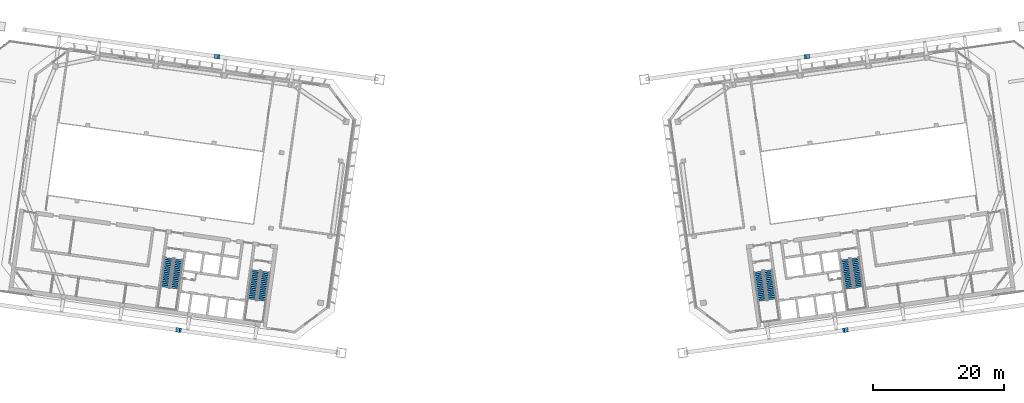
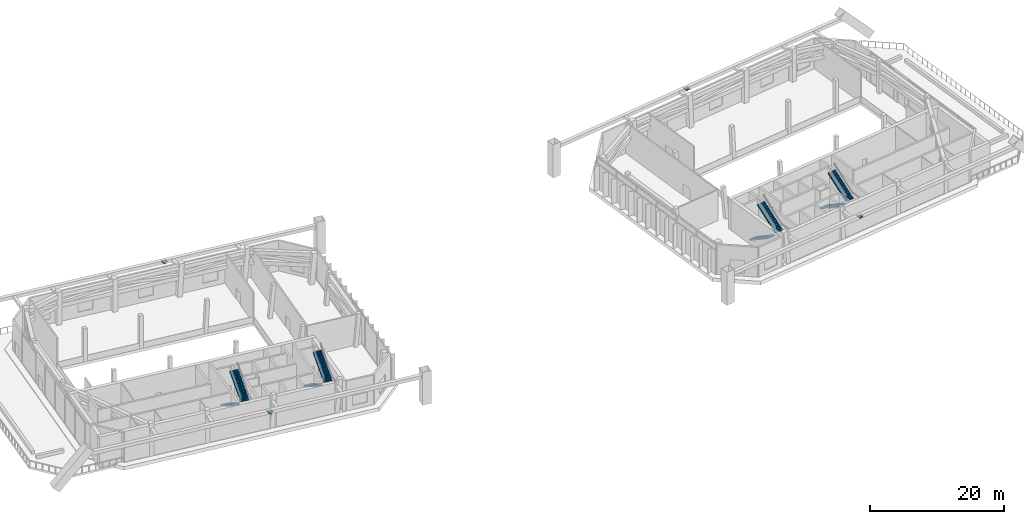
# One storey, part 19 of 29: 8 discrete accessories, 8 stair flights, 4 elements without a shape of their own.
"""IFC4 building model written with IfcOpenShell, lengths in metres."""

from ifc_helpers import new_model, si_unit, direction, frame, origin, origin_2d, place, context, subcontext, project, spatial, polyline, rectangle, outline, extrude, material, material_profile, profile_set, type_object, element, aggregate, save


model = new_model("IFC4")

# Units and contexts
model_context = context("Model", 3, precision=1e-05, world=origin(), true_north=direction((0.0, 1.0)))
body_context = subcontext(model_context, "Body", "Model", "MODEL_VIEW")
ifc_project = project(units=[si_unit("LENGTHUNIT", "METRE"), si_unit("AREAUNIT", "SQUARE_METRE"), si_unit("VOLUMEUNIT", "CUBIC_METRE"), si_unit("PLANEANGLEUNIT", "RADIAN"), si_unit("MASSUNIT", "GRAM", prefix="KILO")], contexts=[model_context])

# Site, building, storey
site_placement = place(None, origin())
site = spatial("IfcSite", under=ifc_project, at=site_placement, CompositionType="ELEMENT")
building_placement = place(site_placement, origin())
building = spatial("IfcBuilding", under=site, at=building_placement, Name="Mirante Cascada Hotel Towers", CompositionType="ELEMENT")
storey_placement = place(building_placement, frame((0.0, 0.0, 210.6)))
storey = spatial("IfcBuildingStorey", under=building, at=storey_placement, Name="L50", CompositionType="ELEMENT", Elevation=210.6)

# Stair, stair flights
ifc_material_1 = material(Name="Concrete C35/45", Category="concrete")
stair_type = type_object("IfcStairType", Name="Exit stair half-turn 1350 concrete C35/45", PredefinedType="HALF_TURN_STAIR", material=ifc_material_1)
stair_1_placement = place(storey_placement, origin())
stair_1 = element("IfcStair", 1, at=stair_1_placement, inside=storey, type_object=stair_type, Name="L50 Exit stair A", PredefinedType="HALF_TURN_STAIR")
ifc_material_2 = material(Name="Concrete C35/45", Category="concrete")
stair_flight_type = type_object("IfcStairFlightType", Name="Exit stair flight 1350 concrete C35/45", PredefinedType="STRAIGHT", material=ifc_material_2)
stair_flight_1_placement = place(storey_placement, frame((-38.9417, -11.195, 0.0), z_axis=(0.0, 0.0, 1.0), x_axis=(-0.1391731, -0.9902681, 0.0)))
stair_flight_1 = element("IfcStairFlight", 2, at=stair_flight_1_placement, type_object=stair_flight_type, Name="ST1-A flight 1", NumberOfRisers=17, NumberOfTreads=16, PredefinedType="STRAIGHT", RiserHeight=0.176470588, TreadLength=0.28, context=body_context, shape_type="SweptSolid", body=[
    extrude(outline(polyline([(0.0, 0.0), (0.0, 0.1765), (0.28, 0.1765), (0.28, 0.3529), (0.56, 0.3529), (0.56, 0.5294), (0.84, 0.5294), (0.84, 0.7059), (1.12, 0.7059), (1.12, 0.8824), (1.4, 0.8824), (1.4, 1.0588), (1.68, 1.0588), (1.68, 1.2353), (1.96, 1.2353), (1.96, 1.4118), (2.24, 1.4118), (2.24, 1.5882), (2.52, 1.5882), (2.52, 1.7647), (2.8, 1.7647), (2.8, 1.9412), (3.08, 1.9412), (3.08, 2.1176), (3.36, 2.1176), (3.36, 2.2941), (3.64, 2.2941), (3.64, 2.4706), (3.92, 2.4706), (3.92, 2.6471), (4.2, 2.6471), (4.2, 2.8235), (4.48, 2.8235), (4.48, 3.0), (4.48, 2.6462), (0.2813, 0.0), (0.0, 0.0)])), frame((0.0, 0.675, 0.0), z_axis=(0.0, -1.0, 0.0), x_axis=(1.0, 0.0, 0.0)), (0.0, 0.0, 1.0), 1.35),
])
stair_flight_2_placement = place(storey_placement, frame((-38.0798, -15.8402, 3.0), z_axis=(0.0, 0.0, 1.0), x_axis=(0.1391731, 0.9902681, 0.0)))
stair_flight_2 = element("IfcStairFlight", 3, at=stair_flight_2_placement, type_object=stair_flight_type, Name="ST1-A flight 2", NumberOfRisers=17, NumberOfTreads=16, PredefinedType="STRAIGHT", RiserHeight=0.176470588, TreadLength=0.28, context=body_context, shape_type="SweptSolid", body=[
    extrude(outline(polyline([(0.0, 0.0), (0.0, 0.1765), (0.28, 0.1765), (0.28, 0.3529), (0.56, 0.3529), (0.56, 0.5294), (0.84, 0.5294), (0.84, 0.7059), (1.12, 0.7059), (1.12, 0.8824), (1.4, 0.8824), (1.4, 1.0588), (1.68, 1.0588), (1.68, 1.2353), (1.96, 1.2353), (1.96, 1.4118), (2.24, 1.4118), (2.24, 1.5882), (2.52, 1.5882), (2.52, 1.7647), (2.8, 1.7647), (2.8, 1.9412), (3.08, 1.9412), (3.08, 2.1176), (3.36, 2.1176), (3.36, 2.2941), (3.64, 2.2941), (3.64, 2.4706), (3.92, 2.4706), (3.92, 2.6471), (4.2, 2.6471), (4.2, 2.8235), (4.48, 2.8235), (4.48, 3.0), (4.48, 2.6462), (0.2813, 0.0), (0.0, 0.0)])), frame((0.0, 0.675, 0.0), z_axis=(0.0, -1.0, 0.0), x_axis=(1.0, 0.0, 0.0)), (0.0, 0.0, 1.0), 1.35),
])
aggregate(stair_1, [stair_flight_1, stair_flight_2])

stair_2_placement = place(storey_placement, origin())
stair_2 = element("IfcStair", 4, at=stair_2_placement, inside=storey, type_object=stair_type, Name="L50 Exit stair B", PredefinedType="HALF_TURN_STAIR")
stair_flight_3_placement = place(storey_placement, frame((-52.1618, -9.3371, 0.0), z_axis=(0.0, 0.0, 1.0), x_axis=(-0.1391731, -0.9902681, 0.0)))
stair_flight_3 = element("IfcStairFlight", 5, at=stair_flight_3_placement, type_object=stair_flight_type, Name="ST1-B flight 1", NumberOfRisers=17, NumberOfTreads=16, PredefinedType="STRAIGHT", RiserHeight=0.176470588, TreadLength=0.28, context=body_context, shape_type="SweptSolid", body=[
    extrude(outline(polyline([(0.0, 0.0), (0.0, 0.1765), (0.28, 0.1765), (0.28, 0.3529), (0.56, 0.3529), (0.56, 0.5294), (0.84, 0.5294), (0.84, 0.7059), (1.12, 0.7059), (1.12, 0.8824), (1.4, 0.8824), (1.4, 1.0588), (1.68, 1.0588), (1.68, 1.2353), (1.96, 1.2353), (1.96, 1.4118), (2.24, 1.4118), (2.24, 1.5882), (2.52, 1.5882), (2.52, 1.7647), (2.8, 1.7647), (2.8, 1.9412), (3.08, 1.9412), (3.08, 2.1176), (3.36, 2.1176), (3.36, 2.2941), (3.64, 2.2941), (3.64, 2.4706), (3.92, 2.4706), (3.92, 2.6471), (4.2, 2.6471), (4.2, 2.8235), (4.48, 2.8235), (4.48, 3.0), (4.48, 2.6462), (0.2813, 0.0), (0.0, 0.0)])), frame((0.0, 0.675, 0.0), z_axis=(0.0, -1.0, 0.0), x_axis=(1.0, 0.0, 0.0)), (0.0, 0.0, 1.0), 1.35),
])
stair_flight_4_placement = place(storey_placement, frame((-51.2999, -13.9822, 3.0), z_axis=(0.0, 0.0, 1.0), x_axis=(0.1391731, 0.9902681, 0.0)))
stair_flight_4 = element("IfcStairFlight", 6, at=stair_flight_4_placement, type_object=stair_flight_type, Name="ST1-B flight 2", NumberOfRisers=17, NumberOfTreads=16, PredefinedType="STRAIGHT", RiserHeight=0.176470588, TreadLength=0.28, context=body_context, shape_type="SweptSolid", body=[
    extrude(outline(polyline([(0.0, 0.0), (0.0, 0.1765), (0.28, 0.1765), (0.28, 0.3529), (0.56, 0.3529), (0.56, 0.5294), (0.84, 0.5294), (0.84, 0.7059), (1.12, 0.7059), (1.12, 0.8824), (1.4, 0.8824), (1.4, 1.0588), (1.68, 1.0588), (1.68, 1.2353), (1.96, 1.2353), (1.96, 1.4118), (2.24, 1.4118), (2.24, 1.5882), (2.52, 1.5882), (2.52, 1.7647), (2.8, 1.7647), (2.8, 1.9412), (3.08, 1.9412), (3.08, 2.1176), (3.36, 2.1176), (3.36, 2.2941), (3.64, 2.2941), (3.64, 2.4706), (3.92, 2.4706), (3.92, 2.6471), (4.2, 2.6471), (4.2, 2.8235), (4.48, 2.8235), (4.48, 3.0), (4.48, 2.6462), (0.2813, 0.0), (0.0, 0.0)])), frame((0.0, 0.675, 0.0), z_axis=(0.0, -1.0, 0.0), x_axis=(1.0, 0.0, 0.0)), (0.0, 0.0, 1.0), 1.35),
])
aggregate(stair_2, [stair_flight_3, stair_flight_4])

stair_3_placement = place(storey_placement, origin())
stair_3 = element("IfcStair", 7, at=stair_3_placement, inside=storey, type_object=stair_type, Name="L50 Exit stair A", PredefinedType="HALF_TURN_STAIR")
stair_flight_5_placement = place(storey_placement, frame((37.4563, -11.4038, 0.0), z_axis=(0.0, 0.0, 1.0), x_axis=(0.1391731, -0.9902681, 0.0)))
stair_flight_5 = element("IfcStairFlight", 8, at=stair_flight_5_placement, type_object=stair_flight_type, Name="ST2-A flight 1", NumberOfRisers=17, NumberOfTreads=16, PredefinedType="STRAIGHT", RiserHeight=0.176470588, TreadLength=0.28, context=body_context, shape_type="SweptSolid", body=[
    extrude(outline(polyline([(0.0, 0.0), (0.0, 0.1765), (0.28, 0.1765), (0.28, 0.3529), (0.56, 0.3529), (0.56, 0.5294), (0.84, 0.5294), (0.84, 0.7059), (1.12, 0.7059), (1.12, 0.8824), (1.4, 0.8824), (1.4, 1.0588), (1.68, 1.0588), (1.68, 1.2353), (1.96, 1.2353), (1.96, 1.4118), (2.24, 1.4118), (2.24, 1.5882), (2.52, 1.5882), (2.52, 1.7647), (2.8, 1.7647), (2.8, 1.9412), (3.08, 1.9412), (3.08, 2.1176), (3.36, 2.1176), (3.36, 2.2941), (3.64, 2.2941), (3.64, 2.4706), (3.92, 2.4706), (3.92, 2.6471), (4.2, 2.6471), (4.2, 2.8235), (4.48, 2.8235), (4.48, 3.0), (4.48, 2.6462), (0.2813, 0.0), (0.0, 0.0)])), frame((0.0, 0.675, 0.0), z_axis=(0.0, -1.0, 0.0), x_axis=(1.0, 0.0, 0.0)), (0.0, 0.0, 1.0), 1.35),
])
stair_flight_6_placement = place(storey_placement, frame((39.5652, -15.6314, 3.0), z_axis=(0.0, 0.0, 1.0), x_axis=(-0.1391731, 0.9902681, 0.0)))
stair_flight_6 = element("IfcStairFlight", 9, at=stair_flight_6_placement, type_object=stair_flight_type, Name="ST2-A flight 2", NumberOfRisers=17, NumberOfTreads=16, PredefinedType="STRAIGHT", RiserHeight=0.176470588, TreadLength=0.28, context=body_context, shape_type="SweptSolid", body=[
    extrude(outline(polyline([(0.0, 0.0), (0.0, 0.1765), (0.28, 0.1765), (0.28, 0.3529), (0.56, 0.3529), (0.56, 0.5294), (0.84, 0.5294), (0.84, 0.7059), (1.12, 0.7059), (1.12, 0.8824), (1.4, 0.8824), (1.4, 1.0588), (1.68, 1.0588), (1.68, 1.2353), (1.96, 1.2353), (1.96, 1.4118), (2.24, 1.4118), (2.24, 1.5882), (2.52, 1.5882), (2.52, 1.7647), (2.8, 1.7647), (2.8, 1.9412), (3.08, 1.9412), (3.08, 2.1176), (3.36, 2.1176), (3.36, 2.2941), (3.64, 2.2941), (3.64, 2.4706), (3.92, 2.4706), (3.92, 2.6471), (4.2, 2.6471), (4.2, 2.8235), (4.48, 2.8235), (4.48, 3.0), (4.48, 2.6462), (0.2813, 0.0), (0.0, 0.0)])), frame((0.0, 0.675, 0.0), z_axis=(0.0, -1.0, 0.0), x_axis=(1.0, 0.0, 0.0)), (0.0, 0.0, 1.0), 1.35),
])
aggregate(stair_3, [stair_flight_5, stair_flight_6])

stair_4_placement = place(storey_placement, origin())
stair_4 = element("IfcStair", 10, at=stair_4_placement, inside=storey, type_object=stair_type, Name="L50 Exit stair B", PredefinedType="HALF_TURN_STAIR")
stair_flight_7_placement = place(storey_placement, frame((50.6764, -9.5458, 0.0), z_axis=(0.0, 0.0, 1.0), x_axis=(0.1391731, -0.9902681, 0.0)))
stair_flight_7 = element("IfcStairFlight", 11, at=stair_flight_7_placement, type_object=stair_flight_type, Name="ST2-B flight 1", NumberOfRisers=17, NumberOfTreads=16, PredefinedType="STRAIGHT", RiserHeight=0.176470588, TreadLength=0.28, context=body_context, shape_type="SweptSolid", body=[
    extrude(outline(polyline([(0.0, 0.0), (0.0, 0.1765), (0.28, 0.1765), (0.28, 0.3529), (0.56, 0.3529), (0.56, 0.5294), (0.84, 0.5294), (0.84, 0.7059), (1.12, 0.7059), (1.12, 0.8824), (1.4, 0.8824), (1.4, 1.0588), (1.68, 1.0588), (1.68, 1.2353), (1.96, 1.2353), (1.96, 1.4118), (2.24, 1.4118), (2.24, 1.5882), (2.52, 1.5882), (2.52, 1.7647), (2.8, 1.7647), (2.8, 1.9412), (3.08, 1.9412), (3.08, 2.1176), (3.36, 2.1176), (3.36, 2.2941), (3.64, 2.2941), (3.64, 2.4706), (3.92, 2.4706), (3.92, 2.6471), (4.2, 2.6471), (4.2, 2.8235), (4.48, 2.8235), (4.48, 3.0), (4.48, 2.6462), (0.2813, 0.0), (0.0, 0.0)])), frame((0.0, 0.675, 0.0), z_axis=(0.0, -1.0, 0.0), x_axis=(1.0, 0.0, 0.0)), (0.0, 0.0, 1.0), 1.35),
])
stair_flight_8_placement = place(storey_placement, frame((52.7853, -13.7735, 3.0), z_axis=(0.0, 0.0, 1.0), x_axis=(-0.1391731, 0.9902681, 0.0)))
stair_flight_8 = element("IfcStairFlight", 12, at=stair_flight_8_placement, type_object=stair_flight_type, Name="ST2-B flight 2", NumberOfRisers=17, NumberOfTreads=16, PredefinedType="STRAIGHT", RiserHeight=0.176470588, TreadLength=0.28, context=body_context, shape_type="SweptSolid", body=[
    extrude(outline(polyline([(0.0, 0.0), (0.0, 0.1765), (0.28, 0.1765), (0.28, 0.3529), (0.56, 0.3529), (0.56, 0.5294), (0.84, 0.5294), (0.84, 0.7059), (1.12, 0.7059), (1.12, 0.8824), (1.4, 0.8824), (1.4, 1.0588), (1.68, 1.0588), (1.68, 1.2353), (1.96, 1.2353), (1.96, 1.4118), (2.24, 1.4118), (2.24, 1.5882), (2.52, 1.5882), (2.52, 1.7647), (2.8, 1.7647), (2.8, 1.9412), (3.08, 1.9412), (3.08, 2.1176), (3.36, 2.1176), (3.36, 2.2941), (3.64, 2.2941), (3.64, 2.4706), (3.92, 2.4706), (3.92, 2.6471), (4.2, 2.6471), (4.2, 2.8235), (4.48, 2.8235), (4.48, 3.0), (4.48, 2.6462), (0.2813, 0.0), (0.0, 0.0)])), frame((0.0, 0.675, 0.0), z_axis=(0.0, -1.0, 0.0), x_axis=(1.0, 0.0, 0.0)), (0.0, 0.0, 1.0), 1.35),
])
aggregate(stair_4, [stair_flight_7, stair_flight_8])

# Discrete accessories
ifc_material_3 = material(Name="Steel ASTM A572 Gr 50", Category="steel")
ifc_material_profile = material_profile(ifc_material_3, rectangle(XDim=0.7, YDim=0.7, at=origin_2d()), Name="Connection plate 700x700x25 ASTM A572 Gr 50")
ifc_profile_set = profile_set([ifc_material_profile], Name="Steel ASTM A572 Gr 50")
discrete_accessory_type = type_object("IfcDiscreteAccessoryType", Name="Connection plate 700x700x25 ASTM A572 Gr 50", PredefinedType="BRACKET", material=ifc_profile_set)
discrete_accessory_1_placement = place(storey_placement, frame((-44.8043, 21.287, 4.8292), z_axis=(-0.3075231, 0.0439319, 0.9505259), x_axis=(-0.1414214, -0.9899495, 0.0)))
element("IfcDiscreteAccessory", 13, at=discrete_accessory_1_placement, inside=storey, type_object=discrete_accessory_type, Name="Connection plate MB-FL35L", PredefinedType="BRACKET", context=body_context, shape_type="SweptSolid", body=[
    extrude(rectangle(XDim=0.7, YDim=0.7, at=origin_2d()), origin(), (0.0, 0.0, 1.0), 0.025),
])
discrete_accessory_2_placement = place(storey_placement, frame((-45.0041, 21.3151, 4.7201), z_axis=(0.6222849, -0.0877581, 0.7778561), x_axis=(0.1396438, 0.9902018, 0.0)))
element("IfcDiscreteAccessory", 14, at=discrete_accessory_2_placement, inside=storey, type_object=discrete_accessory_type, Name="Connection plate MB-FL35R", PredefinedType="BRACKET", context=body_context, shape_type="SweptSolid", body=[
    extrude(rectangle(XDim=0.7, YDim=0.7, at=origin_2d()), origin(), (0.0, 0.0, 1.0), 0.0251),
])
for number, where, z_axis, x_axis, name in (
    (15, (-50.6495, -20.3043, 4.8292), (-0.3075231, 0.0439319, 0.9505259), (-0.1414214, -0.9899495, 0.0), "Connection plate MB-RL35L"),
    (16, (-50.8493, -20.2762, 4.7201), (0.6198314, -0.0879761, 0.7797879), (0.140527, 0.9900768, 0.0), "Connection plate MB-RL35R"),
    (17, (44.8043, 21.287, 4.8292), (0.3075231, 0.0439319, 0.9505259), (-0.1414214, 0.9899495, 0.0), "Connection plate MB-FL35L"),
):
    element("IfcDiscreteAccessory", number, at=place(storey_placement, frame(where, z_axis=z_axis, x_axis=x_axis)), inside=storey, type_object=discrete_accessory_type, Name=name, PredefinedType="BRACKET", context=body_context, shape_type="SweptSolid", body=[
        extrude(rectangle(XDim=0.7, YDim=0.7, at=origin_2d()), origin(), (0.0, 0.0, 1.0), 0.025),
    ])
discrete_accessory_3_placement = place(storey_placement, frame((45.0041, 21.3151, 4.7201), z_axis=(-0.6222849, -0.0877581, 0.7778561), x_axis=(0.1396438, -0.9902018, 0.0)))
element("IfcDiscreteAccessory", 18, at=discrete_accessory_3_placement, inside=storey, type_object=discrete_accessory_type, Name="Connection plate MB-FL35R", PredefinedType="BRACKET", context=body_context, shape_type="SweptSolid", body=[
    extrude(rectangle(XDim=0.7, YDim=0.7, at=origin_2d()), origin(), (0.0, 0.0, 1.0), 0.0251),
])
for number, where, z_axis, x_axis, name in (
    (19, (50.6495, -20.3043, 4.8292), (0.3075231, 0.0439319, 0.9505259), (-0.1414214, 0.9899495, 0.0), "Connection plate MB-RL35L"),
    (20, (50.8493, -20.2762, 4.7201), (-0.6198314, -0.0879761, 0.7797879), (0.140527, -0.9900768, 0.0), "Connection plate MB-RL35R"),
):
    element("IfcDiscreteAccessory", number, at=place(storey_placement, frame(where, z_axis=z_axis, x_axis=x_axis)), inside=storey, type_object=discrete_accessory_type, Name=name, PredefinedType="BRACKET", context=body_context, shape_type="SweptSolid", body=[
        extrude(rectangle(XDim=0.7, YDim=0.7, at=origin_2d()), origin(), (0.0, 0.0, 1.0), 0.025),
    ])

save(model, "model.ifc")
